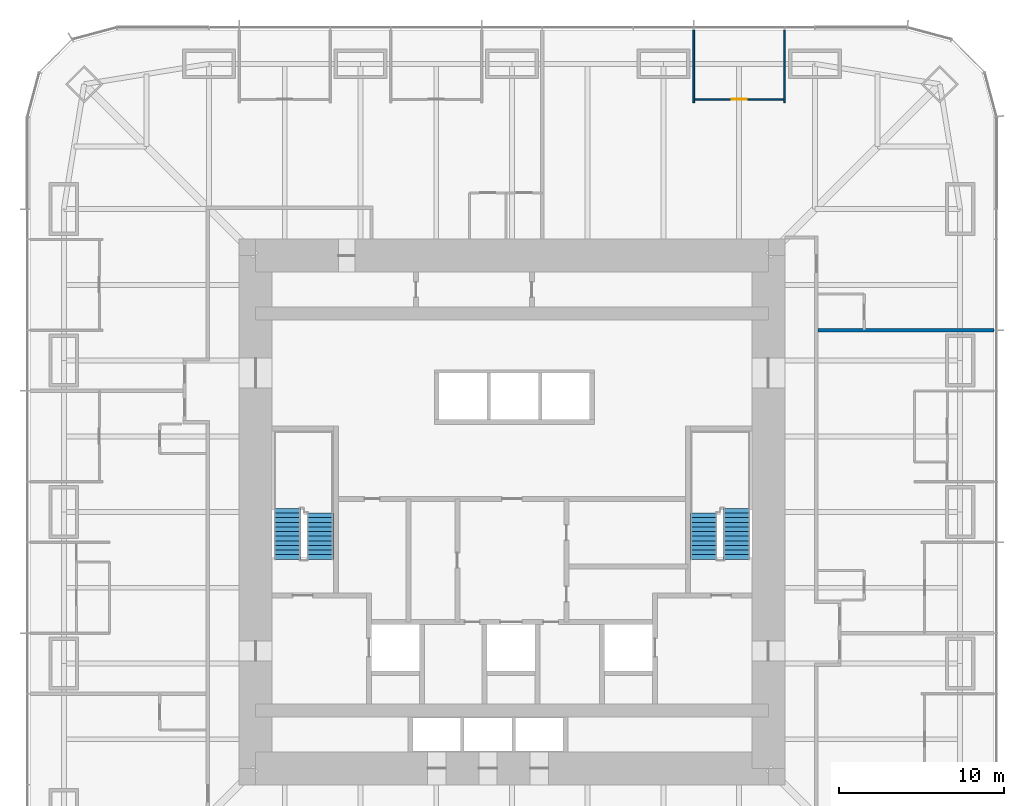
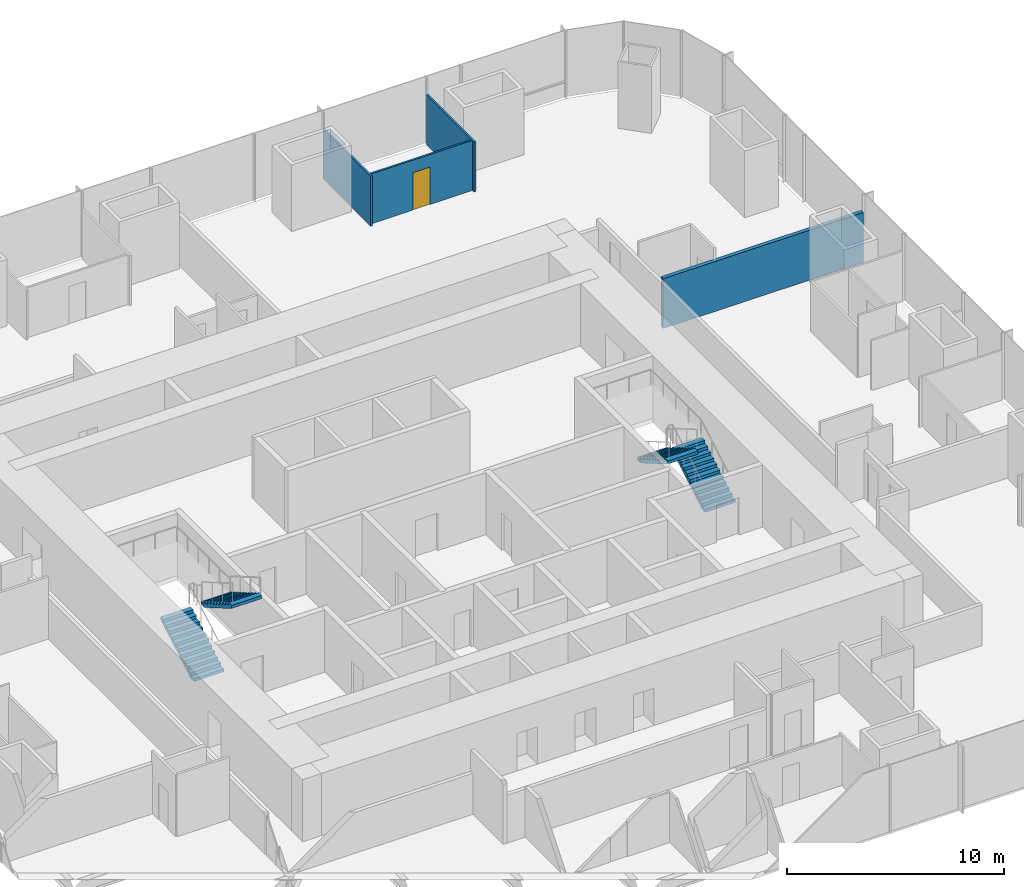
# One storey, part 12 of 13: 4 stair flights, 4 walls, 1 door, 1 opening, 2 elements without a shape of their own.
"""IFC4 building model written with IfcOpenShell, lengths in metres."""

from ifc_helpers import new_model, si_unit, direction, frame, frame_2d, origin, place, context, subcontext, project, spatial, polyline, rectangle, outline, extrude, material, layer, layer_set, type_object, element, fill, aggregate, save


model = new_model("IFC4")

# Units and contexts
model_context = context("Model", 3, precision=1e-05, world=origin(), true_north=direction((0.0, 1.0)))
body_context = subcontext(model_context, "Body", "Model", "MODEL_VIEW")
ifc_project = project(units=[si_unit("LENGTHUNIT", "METRE"), si_unit("AREAUNIT", "SQUARE_METRE"), si_unit("VOLUMEUNIT", "CUBIC_METRE"), si_unit("PLANEANGLEUNIT", "RADIAN"), si_unit("MASSUNIT", "GRAM", prefix="KILO")], contexts=[model_context])

# Site, building, storey
site_placement = place(None, origin())
site = spatial("IfcSite", under=ifc_project, at=site_placement, CompositionType="ELEMENT")
building_placement = place(site_placement, origin())
building = spatial("IfcBuilding", under=site, at=building_placement, Name="Khuree Lantern Residences", CompositionType="ELEMENT")
storey_placement = place(building_placement, frame((0.0, 0.0, 114.75)))
storey = spatial("IfcBuildingStorey", under=building, at=storey_placement, Name="L28", CompositionType="ELEMENT", Elevation=114.75)

# Walls
ifc_material_1 = material(Name="Gypsum board on steel studs", Category="steel")
ifc_layer_1 = layer(ifc_material_1, 0.199951171875)
ifc_layer_set_1 = layer_set([ifc_layer_1], Name="DEMISING WALL DMW200 EI 90")
wall_type_1 = type_object("IfcWallType", Name="DEMISING WALL DMW200 EI 90", PredefinedType="PARTITIONING", material=ifc_layer_set_1)
wall_1_placement = place(storey_placement, frame((18.5, 10.991943359375, 0.0), z_axis=(0.0, 0.0, 1.0), x_axis=(1.0, 0.0, 0.0)))
element("IfcWall", 1, at=wall_1_placement, inside=storey, type_object=wall_type_1, Name="L28 DEMISING WALL 02", PredefinedType="PARTITIONING", context=body_context, shape_type="SweptSolid", body=[
    extrude(rectangle(XDim=10.64990234375, YDim=0.199951171875, at=frame_2d((5.324951171875, 0.0))), origin(), (0.0, 0.0, 1.0), 2.81005859375),
])
ifc_layer_2 = layer(ifc_material_1, 0.10009765625)
ifc_layer_set_2 = layer_set([ifc_layer_2], Name="PARTITION PT100")
wall_type_2 = type_object("IfcWallType", Name="PARTITION PT100", PredefinedType="PARTITIONING", material=ifc_layer_set_2)
for number, where, z_axis, x_axis, name in (
    (2, (16.488037109375, 24.75, 0.0), (0.0, 0.0, 1.0), (0.0, 1.0, 0.0), "L28 PARTITION 02"),
    (3, (10.991943359375, 24.75, 0.0), (0.0, 0.0, 1.0), (0.0, 1.0, 0.0), "L28 PARTITION 02"),
):
    element("IfcWall", number, at=place(storey_placement, frame(where, z_axis=z_axis, x_axis=x_axis)), inside=storey, type_object=wall_type_2, Name=name, PredefinedType="PARTITIONING", context=body_context, shape_type="SweptSolid", body=[
        extrude(rectangle(XDim=4.39990234375, YDim=0.10009765625, at=frame_2d((2.199951171875, 0.0))), origin(), (0.0, 0.0, 1.0), 2.81005859375),
    ])

# Wall, opening, door
wall_2_placement = place(storey_placement, frame((16.488037109375, 24.949951171875, 0.0), z_axis=(0.0, 0.0, 1.0), x_axis=(-1.0, 0.0, 0.0)))
wall_2 = element("IfcWall", 4, at=wall_2_placement, inside=storey, type_object=wall_type_2, Name="L28 PARTITION 02", PredefinedType="PARTITIONING", context=body_context, shape_type="SweptSolid", body=[
    extrude(rectangle(XDim=5.49609375, YDim=0.10009765625, at=frame_2d((2.748046875, 0.0))), origin(), (0.0, 0.0, 1.0), 2.81005859375),
])
opening_placement = place(wall_2_placement, frame((2.298095703125, 0.0, 0.0)))
opening = element("IfcOpeningElement", 5, at=opening_placement, cuts=wall_2, Name="Opening 28-028", PredefinedType="OPENING", context=body_context, shape_type="SweptSolid", body=[
    extrude(rectangle(XDim=0.89990234375, YDim=2.10009765625, at=frame_2d((0.449951171875, 1.050048828125))), frame((0.0, 0.06005859375, 0.0), z_axis=(0.0, -1.0, 0.0), x_axis=(1.0, 0.0, 0.0)), (0.0, 0.0, 1.0), 0.1201171875),
])
ifc_material_2 = material(Name="Timber door leaf in hardwood frame", Category="wood")
door_type = type_object("IfcDoorType", Name="BEDROOM DOOR 900X2100", OperationType="SINGLE_SWING_LEFT", PredefinedType="DOOR", material=ifc_material_2)
door_placement = place(opening_placement, origin())
door = element("IfcDoor", 6, at=door_placement, inside=storey, type_object=door_type, Name="Bedroom door 28-028", OperationType="SINGLE_SWING_LEFT", OverallHeight=2.10009765625, OverallWidth=0.89990234375, PredefinedType="DOOR", context=body_context, shape_type="SweptSolid", body=[
    extrude(rectangle(XDim=0.89990234375, YDim=2.10009765625, at=frame_2d((0.449951171875, 1.050048828125))), frame((0.0, 0.02490234375, 0.0), z_axis=(0.0, -1.0, 0.0), x_axis=(1.0, 0.0, 0.0)), (0.0, 0.0, 1.0), 0.050048828125),
])
fill(opening, door)

# Stair, stair flights
ifc_material_3 = material(Name="Concrete C40/50", Category="concrete")
stair_type = type_object("IfcStairType", Name="STAIR ST1 HALF TURN 3600", PredefinedType="HALF_TURN_STAIR", material=ifc_material_3)
stair_1_placement = place(storey_placement, origin())
stair_1 = element("IfcStair", 7, at=stair_1_placement, inside=storey, type_object=stair_type, Name="Stair ST1", PredefinedType="HALF_TURN_STAIR")
stair_flight_type = type_object("IfcStairFlightType", Name="STAIR FLIGHT SF1 1600", PredefinedType="STRAIGHT", material=ifc_material_3)
stair_flight_1_placement = place(storey_placement, frame((-13.60009765625, -2.860107421875, 0.0), z_axis=(0.0, 0.0, 1.0), x_axis=(0.0, 1.0, 0.0)))
stair_flight_1 = element("IfcStairFlight", 8, at=stair_flight_1_placement, type_object=stair_flight_type, Name="ST1 flight 1", NumberOfRisers=12, NumberOfTreads=11, PredefinedType="STRAIGHT", RiserHeight=0.163043478, TreadLength=0.28, context=body_context, shape_type="SweptSolid", body=[
    extrude(outline(polyline([(0.0, 0.0), (0.0, 0.1630859375), (0.280029296875, 0.1630859375), (0.280029296875, 0.326171875), (0.56005859375, 0.326171875), (0.56005859375, 0.489013671875), (0.840087890625, 0.489013671875), (0.840087890625, 0.652099609375), (1.1201171875, 0.652099609375), (1.1201171875, 0.815185546875), (1.39990234375, 0.815185546875), (1.39990234375, 0.978271484375), (1.679931640625, 0.978271484375), (1.679931640625, 1.141357421875), (1.9599609375, 1.141357421875), (1.9599609375, 1.304443359375), (2.239990234375, 1.304443359375), (2.239990234375, 1.46728515625), (2.52001953125, 1.46728515625), (2.52001953125, 1.63037109375), (2.800048828125, 1.63037109375), (2.800048828125, 1.79345703125), (3.080078125, 1.79345703125), (3.080078125, 1.95654296875), (3.080078125, 1.6201171875), (0.2978515625, 0.0), (0.0, 0.0)])), frame((0.0, 0.800048828125, 0.0), z_axis=(0.0, -1.0, 0.0), x_axis=(1.0, 0.0, 0.0)), (0.0, 0.0, 1.0), 1.60009765625),
])
stair_flight_2_placement = place(storey_placement, frame((-11.60009765625, -0.06005859375, 1.95654296875), z_axis=(0.0, 0.0, 1.0), x_axis=(0.0, -1.0, 0.0)))
stair_flight_2 = element("IfcStairFlight", 9, at=stair_flight_2_placement, type_object=stair_flight_type, Name="ST1 flight 2", NumberOfRisers=11, NumberOfTreads=10, PredefinedType="STRAIGHT", RiserHeight=0.163043478, TreadLength=0.28, context=body_context, shape_type="SweptSolid", body=[
    extrude(outline(polyline([(0.0, 0.0), (0.0, 0.1630859375), (0.280029296875, 0.1630859375), (0.280029296875, 0.326171875), (0.56005859375, 0.326171875), (0.56005859375, 0.489013671875), (0.840087890625, 0.489013671875), (0.840087890625, 0.652099609375), (1.1201171875, 0.652099609375), (1.1201171875, 0.815185546875), (1.39990234375, 0.815185546875), (1.39990234375, 0.978271484375), (1.679931640625, 0.978271484375), (1.679931640625, 1.141357421875), (1.9599609375, 1.141357421875), (1.9599609375, 1.304443359375), (2.239990234375, 1.304443359375), (2.239990234375, 1.46728515625), (2.52001953125, 1.46728515625), (2.52001953125, 1.63037109375), (2.800048828125, 1.63037109375), (2.800048828125, 1.79345703125), (2.800048828125, 1.45703125), (0.2978515625, 0.0), (0.0, 0.0)])), frame((0.0, 0.800048828125, 0.0), z_axis=(0.0, -1.0, 0.0), x_axis=(1.0, 0.0, 0.0)), (0.0, 0.0, 1.0), 1.60009765625),
])
aggregate(stair_1, [stair_flight_1, stair_flight_2])

stair_2_placement = place(storey_placement, origin())
stair_2 = element("IfcStair", 10, at=stair_2_placement, inside=storey, type_object=stair_type, Name="Stair ST2", PredefinedType="HALF_TURN_STAIR")
stair_flight_3_placement = place(storey_placement, frame((13.60009765625, -2.860107421875, 0.0), z_axis=(0.0, 0.0, 1.0), x_axis=(0.0, 1.0, 0.0)))
stair_flight_3 = element("IfcStairFlight", 11, at=stair_flight_3_placement, type_object=stair_flight_type, Name="ST2 flight 1", NumberOfRisers=12, NumberOfTreads=11, PredefinedType="STRAIGHT", RiserHeight=0.163043478, TreadLength=0.28, context=body_context, shape_type="SweptSolid", body=[
    extrude(outline(polyline([(0.0, 0.0), (0.0, 0.1630859375), (0.280029296875, 0.1630859375), (0.280029296875, 0.326171875), (0.56005859375, 0.326171875), (0.56005859375, 0.489013671875), (0.840087890625, 0.489013671875), (0.840087890625, 0.652099609375), (1.1201171875, 0.652099609375), (1.1201171875, 0.815185546875), (1.39990234375, 0.815185546875), (1.39990234375, 0.978271484375), (1.679931640625, 0.978271484375), (1.679931640625, 1.141357421875), (1.9599609375, 1.141357421875), (1.9599609375, 1.304443359375), (2.239990234375, 1.304443359375), (2.239990234375, 1.46728515625), (2.52001953125, 1.46728515625), (2.52001953125, 1.63037109375), (2.800048828125, 1.63037109375), (2.800048828125, 1.79345703125), (3.080078125, 1.79345703125), (3.080078125, 1.95654296875), (3.080078125, 1.6201171875), (0.2978515625, 0.0), (0.0, 0.0)])), frame((0.0, 0.800048828125, 0.0), z_axis=(0.0, -1.0, 0.0), x_axis=(1.0, 0.0, 0.0)), (0.0, 0.0, 1.0), 1.60009765625),
])
stair_flight_4_placement = place(storey_placement, frame((11.60009765625, -0.06005859375, 1.95654296875), z_axis=(0.0, 0.0, 1.0), x_axis=(0.0, -1.0, 0.0)))
stair_flight_4 = element("IfcStairFlight", 12, at=stair_flight_4_placement, type_object=stair_flight_type, Name="ST2 flight 2", NumberOfRisers=11, NumberOfTreads=10, PredefinedType="STRAIGHT", RiserHeight=0.163043478, TreadLength=0.28, context=body_context, shape_type="SweptSolid", body=[
    extrude(outline(polyline([(0.0, 0.0), (0.0, 0.1630859375), (0.280029296875, 0.1630859375), (0.280029296875, 0.326171875), (0.56005859375, 0.326171875), (0.56005859375, 0.489013671875), (0.840087890625, 0.489013671875), (0.840087890625, 0.652099609375), (1.1201171875, 0.652099609375), (1.1201171875, 0.815185546875), (1.39990234375, 0.815185546875), (1.39990234375, 0.978271484375), (1.679931640625, 0.978271484375), (1.679931640625, 1.141357421875), (1.9599609375, 1.141357421875), (1.9599609375, 1.304443359375), (2.239990234375, 1.304443359375), (2.239990234375, 1.46728515625), (2.52001953125, 1.46728515625), (2.52001953125, 1.63037109375), (2.800048828125, 1.63037109375), (2.800048828125, 1.79345703125), (2.800048828125, 1.45703125), (0.2978515625, 0.0), (0.0, 0.0)])), frame((0.0, 0.800048828125, 0.0), z_axis=(0.0, -1.0, 0.0), x_axis=(1.0, 0.0, 0.0)), (0.0, 0.0, 1.0), 1.60009765625),
])
aggregate(stair_2, [stair_flight_3, stair_flight_4])

save(model, "model.ifc")
